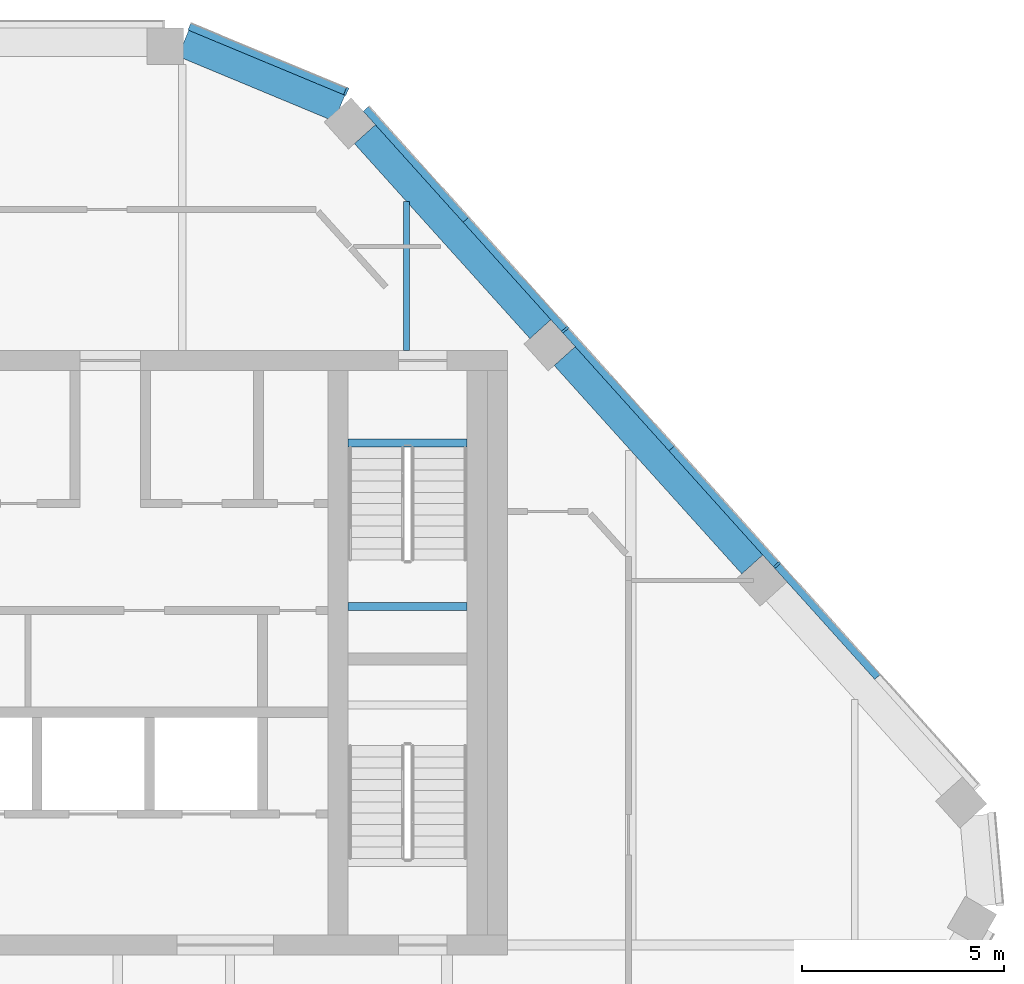
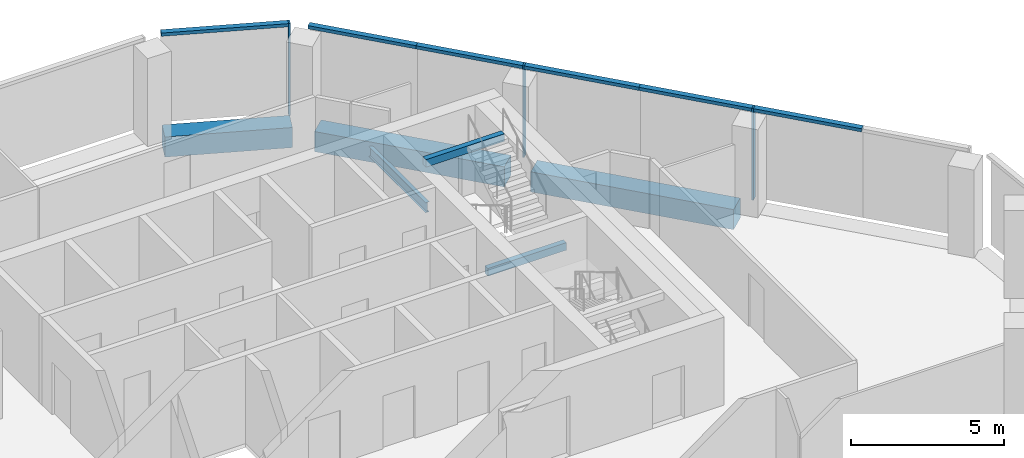
# One storey, part 6 of 15: 9 members, 6 beams, 2 elements without a shape of their own.
"""IFC4 building model written with IfcOpenShell, lengths in metres."""

from ifc_helpers import new_model, si_unit, direction, frame, origin, origin_2d, place, context, subcontext, project, spatial, rectangle, i_section, extrude, material, layer, layer_set, material_profile, profile_set, type_object, element, aggregate, save


model = new_model("IFC4")

# Units and contexts
model_context = context("Model", 3, precision=1e-05, world=origin(), true_north=direction((0.0, 1.0)))
body_context = subcontext(model_context, "Body", "Model", "MODEL_VIEW")
ifc_project = project(units=[si_unit("LENGTHUNIT", "METRE"), si_unit("AREAUNIT", "SQUARE_METRE"), si_unit("VOLUMEUNIT", "CUBIC_METRE"), si_unit("PLANEANGLEUNIT", "RADIAN"), si_unit("MASSUNIT", "GRAM", prefix="KILO")], contexts=[model_context])

# Site, building, storey
site_placement = place(None, origin())
site = spatial("IfcSite", under=ifc_project, at=site_placement, CompositionType="ELEMENT")
building_placement = place(site_placement, origin())
building = spatial("IfcBuilding", under=site, at=building_placement, Name="Isthmus Gate Tower", CompositionType="ELEMENT")
storey_placement = place(building_placement, frame((0.0, 0.0, 282.85009765625)))
storey = spatial("IfcBuildingStorey", under=building, at=storey_placement, Name="L72", CompositionType="ELEMENT", Elevation=282.85009765625)

# Curtain wall, members
ifc_material_1 = material(Name="Aluminium, pale champagne anodised", Category="aluminium")
ifc_layer = layer(ifc_material_1, 0.199951171875)
ifc_layer_set = layer_set([ifc_layer], Name="CW-1 UNITISED CURTAIN WALL 200 DEEP")
curtain_wall_type = type_object("IfcCurtainWallType", Name="CW-1 UNITISED CURTAIN WALL 200 DEEP", PredefinedType="NOTDEFINED", material=ifc_layer_set)
curtain_wall_1_placement = place(storey_placement, origin())
curtain_wall_1 = element("IfcCurtainWall", 1, at=curtain_wall_1_placement, inside=storey, type_object=curtain_wall_type, Name="CW-1 NE L72", PredefinedType="NOTDEFINED")
ifc_material_2 = material(Name="Aluminium, pale champagne anodised", Category="aluminium")
ifc_material_profile_1 = material_profile(ifc_material_2, rectangle(XDim=0.06005859375, YDim=0.199951171875, at=origin_2d()), Name="60x200")
ifc_profile_set_1 = profile_set([ifc_material_profile_1], Name="Aluminium, pale champagne anodised")
member_type_1 = type_object("IfcMemberType", Name="CW-1 MULLION 60 X 200", PredefinedType="MULLION", material=ifc_profile_set_1)
member_1_placement = place(storey_placement, frame((21.69140625, 9.680419921875, 0.0), z_axis=(0.0, 0.0, 1.0), x_axis=(-0.669130606359, 0.743144825477, 0.0)))
member_1 = element("IfcMember", 2, at=member_1_placement, type_object=member_type_1, Name="CW-1 mullion", PredefinedType="MULLION", context=body_context, shape_type="SweptSolid", body=[
    extrude(rectangle(XDim=0.06005859375, YDim=0.199951171875, at=origin_2d()), origin(), (0.0, 0.0, 1.0), 3.64990234375),
])
member_2_placement = place(storey_placement, frame((16.43408203125, 15.519287109375, 0.0), z_axis=(0.0, 0.0, 1.0), x_axis=(-0.669130606359, 0.743144825477, 0.0)))
member_2 = element("IfcMember", 3, at=member_2_placement, type_object=member_type_1, Name="CW-1 mullion", PredefinedType="MULLION", context=body_context, shape_type="SweptSolid", body=[
    extrude(rectangle(XDim=0.06005859375, YDim=0.199951171875, at=origin_2d()), origin(), (0.0, 0.0, 1.0), 3.64990234375),
])

# Curtain wall, member
curtain_wall_2_placement = place(storey_placement, origin())
curtain_wall_2 = element("IfcCurtainWall", 4, at=curtain_wall_2_placement, inside=storey, type_object=curtain_wall_type, Name="CW-1 NE-N L72", PredefinedType="NOTDEFINED")
member_3_placement = place(storey_placement, frame((11.001708984375, 21.427490234375, 0.0), z_axis=(0.0, 0.0, 1.0), x_axis=(-0.923353128387, 0.383951820282, 0.0)))
member_3 = element("IfcMember", 5, at=member_3_placement, type_object=member_type_1, Name="CW-1 mullion", PredefinedType="MULLION", context=body_context, shape_type="SweptSolid", body=[
    extrude(rectangle(XDim=0.06005859375, YDim=0.199951171875, at=origin_2d()), origin(), (0.0, 0.0, 1.0), 3.64990234375),
])

# Member
ifc_material_3 = material(Name="Aluminium, pale champagne anodised", Category="aluminium")
ifc_material_profile_2 = material_profile(ifc_material_3, rectangle(XDim=0.199951171875, YDim=0.1298828125, at=origin_2d()), Name="200x130")
ifc_profile_set_2 = profile_set([ifc_material_profile_2], Name="Aluminium, pale champagne anodised")
member_type_2 = type_object("IfcMemberType", Name="CW-1 TRANSOM 200 X 130", PredefinedType="USERDEFINED", material=ifc_profile_set_2)
member_4_placement = place(storey_placement, frame((24.189453125, 6.906005859375, 3.5849609375), z_axis=(-0.669121330099, 0.743153177754, 0.0), x_axis=(-0.743153177754, -0.669121330099, 0.0)))
member_4 = element("IfcMember", 6, at=member_4_placement, type_object=member_type_2, Name="CW-1 transom", ObjectType="TRANSOM", PredefinedType="USERDEFINED", context=body_context, shape_type="SweptSolid", body=[
    extrude(rectangle(XDim=0.199951171875, YDim=0.1298828125, at=origin_2d()), origin(), (0.0, 0.0, 1.0), 3.703369140625),
])

member_5_placement = place(storey_placement, frame((21.67138671875, 9.702880859375, 3.5849609375), z_axis=(-0.669156480406, 0.743121527565, 0.0), x_axis=(-0.743121527565, -0.669156480406, 0.0)))
member_5 = element("IfcMember", 7, at=member_5_placement, type_object=member_type_2, Name="CW-1 transom", ObjectType="TRANSOM", PredefinedType="USERDEFINED", context=body_context, shape_type="SweptSolid", body=[
    extrude(rectangle(XDim=0.199951171875, YDim=0.1298828125, at=origin_2d()), origin(), (0.0, 0.0, 1.0), 3.868408203125),
])

member_6_placement = place(storey_placement, frame((19.082763671875, 12.57763671875, 3.5849609375), z_axis=(-0.669095199697, 0.743176704252, 0.0), x_axis=(-0.743176704252, -0.669095199697, 0.0)))
member_6 = element("IfcMember", 8, at=member_6_placement, type_object=member_type_2, Name="CW-1 transom", ObjectType="TRANSOM", PredefinedType="USERDEFINED", context=body_context, shape_type="SweptSolid", body=[
    extrude(rectangle(XDim=0.199951171875, YDim=0.1298828125, at=origin_2d()), origin(), (0.0, 0.0, 1.0), 3.92822265625),
])

member_7_placement = place(storey_placement, frame((16.4140625, 15.54150390625, 3.5849609375), z_axis=(-0.669116497993, 0.743157528464, 0.0), x_axis=(-0.743157528464, -0.669116497993, 0.0)))
member_7 = element("IfcMember", 9, at=member_7_placement, type_object=member_type_2, Name="CW-1 transom", ObjectType="TRANSOM", PredefinedType="USERDEFINED", context=body_context, shape_type="SweptSolid", body=[
    extrude(rectangle(XDim=0.199951171875, YDim=0.1298828125, at=origin_2d()), origin(), (0.0, 0.0, 1.0), 3.6435546875),
])

member_8_placement = place(storey_placement, frame((13.97607421875, 18.249267578125, 3.5849609375), z_axis=(-0.669154112043, 0.743123660192, 0.0), x_axis=(-0.743123660192, -0.669154112043, 0.0)))
member_8 = element("IfcMember", 10, at=member_8_placement, type_object=member_type_2, Name="CW-1 transom", ObjectType="TRANSOM", PredefinedType="USERDEFINED", context=body_context, shape_type="SweptSolid", body=[
    extrude(rectangle(XDim=0.199951171875, YDim=0.1298828125, at=origin_2d()), origin(), (0.0, 0.0, 1.0), 3.703125),
])

aggregate(curtain_wall_1, [member_4, member_1, member_5, member_6, member_2, member_7, member_8])

member_9_placement = place(storey_placement, frame((10.97412109375, 21.43896484375, 3.5849609375), z_axis=(-0.923358236369, 0.383939536033, 0.0), x_axis=(-0.383939536033, -0.923358236369, 0.0)))
member_9 = element("IfcMember", 11, at=member_9_placement, type_object=member_type_2, Name="CW-1 transom", ObjectType="TRANSOM", PredefinedType="USERDEFINED", context=body_context, shape_type="SweptSolid", body=[
    extrude(rectangle(XDim=0.199951171875, YDim=0.1298828125, at=origin_2d()), origin(), (0.0, 0.0, 1.0), 4.181640625),
])

aggregate(curtain_wall_2, [member_3, member_9])

# Beams
ifc_material_4 = material(Name="Concrete f'c 50 MPa", Category="concrete")
ifc_material_profile_3 = material_profile(ifc_material_4, rectangle(XDim=0.699951171875, YDim=0.800048828125, at=origin_2d()), Name="RC 700X800")
ifc_profile_set_3 = profile_set([ifc_material_profile_3], Name="Concrete f'c 50 MPa")
beam_type_1 = type_object("IfcBeamType", Name="RC SPANDREL 700 X 800", PredefinedType="SPANDREL", material=ifc_profile_set_3)
beam_1_placement = place(storey_placement, frame((6.95947265625, 22.620849609375, -0.400146484375), z_axis=(0.923360646135, -0.383933740597, 0.0), x_axis=(0.383933740597, 0.923360646135, 0.0)))
element("IfcBeam", 12, at=beam_1_placement, inside=storey, type_object=beam_type_1, Name="str-spandrel-L72-00", PredefinedType="SPANDREL", context=body_context, shape_type="SweptSolid", body=[
    extrude(rectangle(XDim=0.699951171875, YDim=0.800048828125, at=origin_2d()), origin(), (0.0, 0.0, 1.0), 4.19677734375),
])
beam_2_placement = place(storey_placement, frame((11.46484375, 20.36572265625, -0.400146484375), z_axis=(0.669122265754, -0.743152335307, 0.0), x_axis=(0.743152335307, 0.669122265754, 0.0)))
element("IfcBeam", 13, at=beam_2_placement, inside=storey, type_object=beam_type_1, Name="str-spandrel-L72-01", PredefinedType="SPANDREL", context=body_context, shape_type="SweptSolid", body=[
    extrude(rectangle(XDim=0.699951171875, YDim=0.800048828125, at=origin_2d()), origin(), (0.0, 0.0, 1.0), 6.506591796875),
])
beam_3_placement = place(storey_placement, frame((16.4208984375, 14.861572265625, -0.400146484375), z_axis=(0.669131458307, -0.743144058379, 0.0), x_axis=(0.743144058379, 0.669131458307, 0.0)))
element("IfcBeam", 14, at=beam_3_placement, inside=storey, type_object=beam_type_1, Name="str-spandrel-L72-02", PredefinedType="SPANDREL", context=body_context, shape_type="SweptSolid", body=[
    extrude(rectangle(XDim=0.699951171875, YDim=0.800048828125, at=origin_2d()), origin(), (0.0, 0.0, 1.0), 6.956787109375),
])
ifc_material_5 = material(Name="Concrete f'c 40 MPa", Category="concrete")
ifc_material_profile_4 = material_profile(ifc_material_5, rectangle(XDim=0.199951171875, YDim=0.300048828125, at=origin_2d()), Name="STAIR LANDING BEAM RC 200 X 300")
ifc_profile_set_4 = profile_set([ifc_material_profile_4], Name="Concrete f'c 40 MPa")
beam_type_2 = type_object("IfcBeamType", Name="STAIR LANDING BEAM RC 200 X 300", PredefinedType="BEAM", material=ifc_profile_set_4)
for number, where, z_axis, x_axis, name in (
    (15, (11.050048828125, 8.64990234375, 1.474853515625), (1.0, 0.0, 0.0), (0.0, 1.0, 0.0), "L72 ST2 landing beam 1"),
    (16, (11.050048828125, 12.7001953125, 3.349853515625), (1.0, 0.0, 0.0), (0.0, 1.0, 0.0), "L72 ST2 floor-edge seat beam"),
):
    element("IfcBeam", number, at=place(storey_placement, frame(where, z_axis=z_axis, x_axis=x_axis)), inside=storey, type_object=beam_type_2, Name=name, PredefinedType="BEAM", context=body_context, shape_type="SweptSolid", body=[
        extrude(rectangle(XDim=0.199951171875, YDim=0.300048828125, at=origin_2d()), origin(), (0.0, 0.0, 1.0), 2.949951171875),
    ])
ifc_material_6 = material(Name="Structural steel ASTM A992 Gr 50", Category="steel")
ifc_material_profile_5 = material_profile(ifc_material_6, i_section(OverallWidth=0.1396484375, OverallDepth=0.4033203125, WebThickness=0.00634765625, FlangeThickness=0.010986328125, at=origin_2d()), Name="W16X31")
ifc_profile_set_5 = profile_set([ifc_material_profile_5], Name="Structural steel ASTM A992 Gr 50")
beam_type_3 = type_object("IfcBeamType", Name="STEEL FLOOR BEAM W16X31", PredefinedType="JOIST", material=ifc_profile_set_5)
beam_4_placement = place(storey_placement, frame((12.49560546875, 15.0, -0.351806640625), z_axis=(0.0, 1.0, 0.0), x_axis=(-1.0, 0.0, 0.0)))
element("IfcBeam", 17, at=beam_4_placement, inside=storey, type_object=beam_type_3, Name="str-beam-L72-07-05", PredefinedType="JOIST", context=body_context, shape_type="SweptSolid", body=[
    extrude(i_section(OverallWidth=0.1396484375, OverallDepth=0.4033203125, WebThickness=0.00634765625, FlangeThickness=0.010986328125, at=origin_2d()), origin(), (0.0, 0.0, 1.0), 3.69775390625),
])

save(model, "model.ifc")
